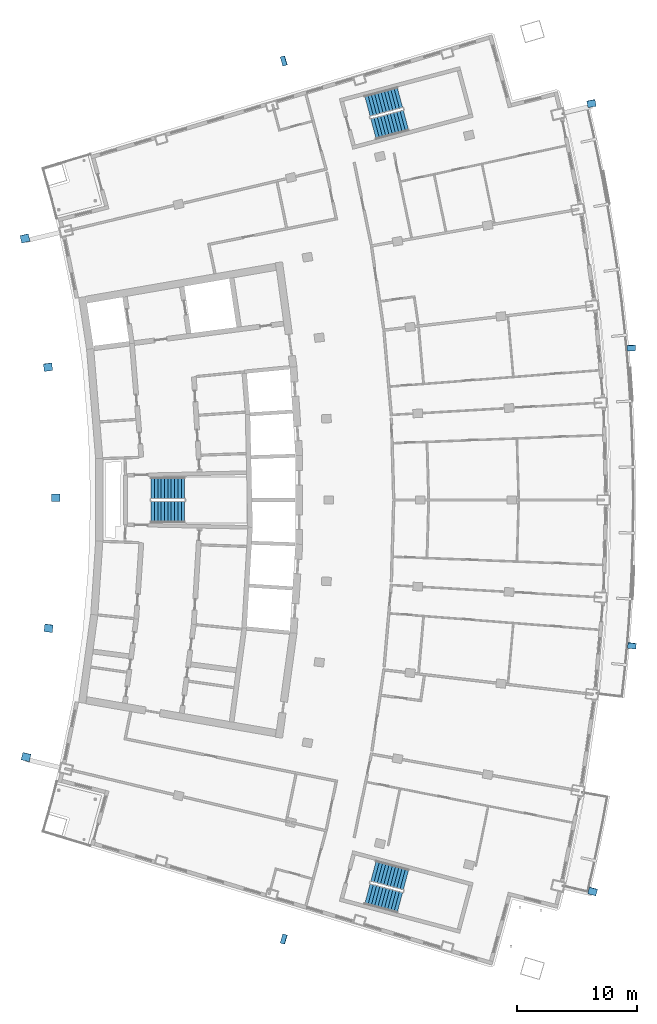
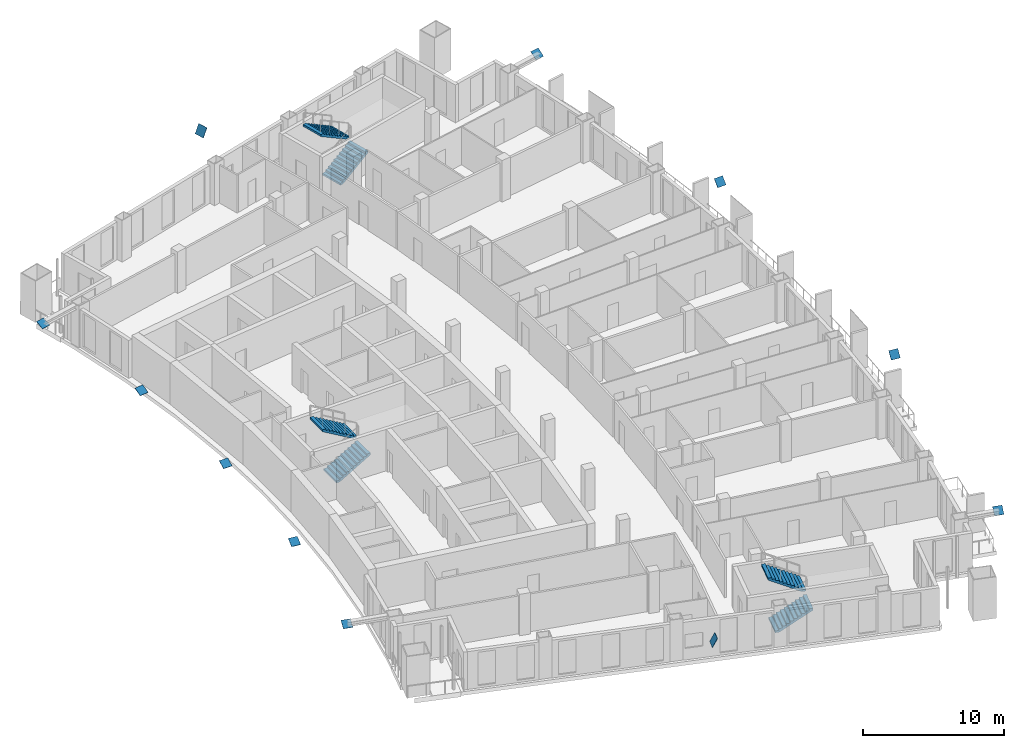
# One storey, part 16 of 19: 11 discrete accessories, 6 stair flights, 3 elements without a shape of their own.
"""IFC4 building model written with IfcOpenShell, lengths in metres."""

from ifc_helpers import new_model, si_unit, direction, frame, origin, origin_2d, place, context, subcontext, project, spatial, polyline, rectangle, outline, extrude, material, layer, layer_set, material_profile, profile_set, type_object, element, aggregate, save


model = new_model("IFC4")

# Units and contexts
model_context = context("Model", 3, precision=1e-05, world=origin(), true_north=direction((0.0, 1.0)))
body_context = subcontext(model_context, "Body", "Model", "MODEL_VIEW")
ifc_project = project(units=[si_unit("LENGTHUNIT", "METRE"), si_unit("AREAUNIT", "SQUARE_METRE"), si_unit("VOLUMEUNIT", "CUBIC_METRE"), si_unit("PLANEANGLEUNIT", "RADIAN"), si_unit("MASSUNIT", "GRAM", prefix="KILO")], contexts=[model_context])

# Site, building, storey
site_placement = place(None, origin())
site = spatial("IfcSite", under=ifc_project, at=site_placement, CompositionType="ELEMENT")
building_placement = place(site_placement, origin())
building = spatial("IfcBuilding", under=site, at=building_placement, Name="Alderwake Tower", CompositionType="ELEMENT")
storey_placement = place(building_placement, frame((0.0, 0.0, 196.39990234375)))
storey = spatial("IfcBuildingStorey", under=building, at=storey_placement, Name="L48", CompositionType="ELEMENT", Elevation=196.39990234375)

# Stair, stair flights
ifc_material_1 = material(Name="Concrete C40/50", Category="concrete")
stair_type = type_object("IfcStairType", Name="Core exit stair", PredefinedType="HALF_TURN_STAIR", material=ifc_material_1)
stair_1_placement = place(storey_placement, origin())
stair_1 = element("IfcStair", 1, at=stair_1_placement, inside=storey, type_object=stair_type, Name="L48 Exit Stair B", PredefinedType="HALF_TURN_STAIR")
ifc_material_2 = material(Name="Concrete C40/50", Category="concrete")
ifc_layer = layer(ifc_material_2, 0.14990234375)
ifc_layer_set = layer_set([ifc_layer], Name="Core stair flight")
stair_flight_type = type_object("IfcStairFlightType", Name="Core stair flight", PredefinedType="STRAIGHT", material=ifc_layer_set)
stair_flight_1_placement = place(storey_placement, frame((21.0400390625, 60.02490234375, 0.0), z_axis=(0.0, 0.0, 1.0), x_axis=(1.0, 0.0, 0.0)))
stair_flight_1 = element("IfcStairFlight", 2, at=stair_flight_1_placement, type_object=stair_flight_type, Name="ST-B flight 1", NumberOfRisers=11, NumberOfTreads=10, PredefinedType="STRAIGHT", RiserHeight=0.163636364, TreadLength=0.28, context=body_context, shape_type="SweptSolid", body=[
    extrude(outline(polyline([(0.0, 0.0), (0.0, 0.16357421875), (0.280029296875, 0.16357421875), (0.280029296875, 0.327392578125), (0.56005859375, 0.327392578125), (0.56005859375, 0.490966796875), (0.840087890625, 0.490966796875), (0.840087890625, 0.654541015625), (1.1201171875, 0.654541015625), (1.1201171875, 0.818115234375), (1.39990234375, 0.818115234375), (1.39990234375, 0.98193359375), (1.679931640625, 0.98193359375), (1.679931640625, 1.1455078125), (1.9599609375, 1.1455078125), (1.9599609375, 1.30908203125), (2.239990234375, 1.30908203125), (2.239990234375, 1.47265625), (2.52001953125, 1.47265625), (2.52001953125, 1.636474609375), (2.800048828125, 1.636474609375), (2.800048828125, 1.800048828125), (2.800048828125, 1.462646484375), (0.297119140625, 0.0), (0.0, 0.0)])), frame((0.0, 0.89990234375, 0.0), z_axis=(0.0, -1.0, 0.0), x_axis=(1.0, 0.0, 0.0)), (0.0, 0.0, 1.0), 1.800048828125),
])
stair_flight_2_placement = place(storey_placement, frame((23.840087890625, 61.97509765625, 1.800048828125), z_axis=(0.0, 0.0, 1.0), x_axis=(-1.0, 0.0, 0.0)))
stair_flight_2 = element("IfcStairFlight", 3, at=stair_flight_2_placement, type_object=stair_flight_type, Name="ST-B flight 2", NumberOfRisers=11, NumberOfTreads=10, PredefinedType="STRAIGHT", RiserHeight=0.163636364, TreadLength=0.28, context=body_context, shape_type="SweptSolid", body=[
    extrude(outline(polyline([(0.0, 0.0), (0.0, 0.16357421875), (0.280029296875, 0.16357421875), (0.280029296875, 0.327392578125), (0.56005859375, 0.327392578125), (0.56005859375, 0.490966796875), (0.840087890625, 0.490966796875), (0.840087890625, 0.654541015625), (1.1201171875, 0.654541015625), (1.1201171875, 0.818115234375), (1.39990234375, 0.818115234375), (1.39990234375, 0.98193359375), (1.679931640625, 0.98193359375), (1.679931640625, 1.1455078125), (1.9599609375, 1.1455078125), (1.9599609375, 1.30908203125), (2.239990234375, 1.30908203125), (2.239990234375, 1.47265625), (2.52001953125, 1.47265625), (2.52001953125, 1.636474609375), (2.800048828125, 1.636474609375), (2.800048828125, 1.800048828125), (2.800048828125, 1.462646484375), (0.297119140625, 0.0), (0.0, 0.0)])), frame((0.0, 0.89990234375, 0.0), z_axis=(0.0, -1.0, 0.0), x_axis=(1.0, 0.0, 0.0)), (0.0, 0.0, 1.0), 1.800048828125),
])
aggregate(stair_1, [stair_flight_1, stair_flight_2])

stair_2_placement = place(storey_placement, origin())
stair_2 = element("IfcStair", 4, at=stair_2_placement, inside=storey, type_object=stair_type, Name="L48 Exit Stair A", PredefinedType="HALF_TURN_STAIR")
stair_flight_3_placement = place(storey_placement, frame((39.512939453125, 91.823974609375, 0.0), z_axis=(0.0, 0.0, 1.0), x_axis=(0.966309627437, 0.257382407951, 0.0)))
stair_flight_3 = element("IfcStairFlight", 5, at=stair_flight_3_placement, type_object=stair_flight_type, Name="ST-A flight 1", NumberOfRisers=11, NumberOfTreads=10, PredefinedType="STRAIGHT", RiserHeight=0.163636364, TreadLength=0.28, context=body_context, shape_type="SweptSolid", body=[
    extrude(outline(polyline([(0.0, 0.0), (0.0, 0.16357421875), (0.280029296875, 0.16357421875), (0.280029296875, 0.327392578125), (0.56005859375, 0.327392578125), (0.56005859375, 0.490966796875), (0.840087890625, 0.490966796875), (0.840087890625, 0.654541015625), (1.1201171875, 0.654541015625), (1.1201171875, 0.818115234375), (1.39990234375, 0.818115234375), (1.39990234375, 0.98193359375), (1.679931640625, 0.98193359375), (1.679931640625, 1.1455078125), (1.9599609375, 1.1455078125), (1.9599609375, 1.30908203125), (2.239990234375, 1.30908203125), (2.239990234375, 1.47265625), (2.52001953125, 1.47265625), (2.52001953125, 1.636474609375), (2.800048828125, 1.636474609375), (2.800048828125, 1.800048828125), (2.800048828125, 1.462646484375), (0.297119140625, 0.0), (0.0, 0.0)])), frame((0.0, 0.89990234375, 0.0), z_axis=(0.0, -1.0, 0.0), x_axis=(1.0, 0.0, 0.0)), (0.0, 0.0, 1.0), 1.800048828125),
])
stair_flight_4_placement = place(storey_placement, frame((41.716796875, 94.428955078125, 1.800048828125), z_axis=(0.0, 0.0, 1.0), x_axis=(-0.966309627437, -0.257382407951, 0.0)))
stair_flight_4 = element("IfcStairFlight", 6, at=stair_flight_4_placement, type_object=stair_flight_type, Name="ST-A flight 2", NumberOfRisers=11, NumberOfTreads=10, PredefinedType="STRAIGHT", RiserHeight=0.163636364, TreadLength=0.28, context=body_context, shape_type="SweptSolid", body=[
    extrude(outline(polyline([(0.0, 0.0), (0.0, 0.16357421875), (0.280029296875, 0.16357421875), (0.280029296875, 0.327392578125), (0.56005859375, 0.327392578125), (0.56005859375, 0.490966796875), (0.840087890625, 0.490966796875), (0.840087890625, 0.654541015625), (1.1201171875, 0.654541015625), (1.1201171875, 0.818115234375), (1.39990234375, 0.818115234375), (1.39990234375, 0.98193359375), (1.679931640625, 0.98193359375), (1.679931640625, 1.1455078125), (1.9599609375, 1.1455078125), (1.9599609375, 1.30908203125), (2.239990234375, 1.30908203125), (2.239990234375, 1.47265625), (2.52001953125, 1.47265625), (2.52001953125, 1.636474609375), (2.800048828125, 1.636474609375), (2.800048828125, 1.800048828125), (2.800048828125, 1.462646484375), (0.297119140625, 0.0), (0.0, 0.0)])), frame((0.0, 0.89990234375, 0.0), z_axis=(0.0, -1.0, 0.0), x_axis=(1.0, 0.0, 0.0)), (0.0, 0.0, 1.0), 1.800048828125),
])
aggregate(stair_2, [stair_flight_3, stair_flight_4])

stair_3_placement = place(storey_placement, origin())
stair_3 = element("IfcStair", 7, at=stair_3_placement, inside=storey, type_object=stair_type, Name="L48 Exit Stair C", PredefinedType="HALF_TURN_STAIR")
stair_flight_5_placement = place(storey_placement, frame((39.010986328125, 28.291748046875, 0.0), z_axis=(0.0, 0.0, 1.0), x_axis=(0.966309627437, -0.257382407951, 0.0)))
stair_flight_5 = element("IfcStairFlight", 8, at=stair_flight_5_placement, type_object=stair_flight_type, Name="ST-C flight 1", NumberOfRisers=11, NumberOfTreads=10, PredefinedType="STRAIGHT", RiserHeight=0.163636364, TreadLength=0.28, context=body_context, shape_type="SweptSolid", body=[
    extrude(outline(polyline([(0.0, 0.0), (0.0, 0.16357421875), (0.280029296875, 0.16357421875), (0.280029296875, 0.327392578125), (0.56005859375, 0.327392578125), (0.56005859375, 0.490966796875), (0.840087890625, 0.490966796875), (0.840087890625, 0.654541015625), (1.1201171875, 0.654541015625), (1.1201171875, 0.818115234375), (1.39990234375, 0.818115234375), (1.39990234375, 0.98193359375), (1.679931640625, 0.98193359375), (1.679931640625, 1.1455078125), (1.9599609375, 1.1455078125), (1.9599609375, 1.30908203125), (2.239990234375, 1.30908203125), (2.239990234375, 1.47265625), (2.52001953125, 1.47265625), (2.52001953125, 1.636474609375), (2.800048828125, 1.636474609375), (2.800048828125, 1.800048828125), (2.800048828125, 1.462646484375), (0.297119140625, 0.0), (0.0, 0.0)])), frame((0.0, 0.89990234375, 0.0), z_axis=(0.0, -1.0, 0.0), x_axis=(1.0, 0.0, 0.0)), (0.0, 0.0, 1.0), 1.800048828125),
])
stair_flight_6_placement = place(storey_placement, frame((42.218505859375, 29.455322265625, 1.800048828125), z_axis=(0.0, 0.0, 1.0), x_axis=(-0.966309627437, 0.257382407951, 0.0)))
stair_flight_6 = element("IfcStairFlight", 9, at=stair_flight_6_placement, type_object=stair_flight_type, Name="ST-C flight 2", NumberOfRisers=11, NumberOfTreads=10, PredefinedType="STRAIGHT", RiserHeight=0.163636364, TreadLength=0.28, context=body_context, shape_type="SweptSolid", body=[
    extrude(outline(polyline([(0.0, 0.0), (0.0, 0.16357421875), (0.280029296875, 0.16357421875), (0.280029296875, 0.327392578125), (0.56005859375, 0.327392578125), (0.56005859375, 0.490966796875), (0.840087890625, 0.490966796875), (0.840087890625, 0.654541015625), (1.1201171875, 0.654541015625), (1.1201171875, 0.818115234375), (1.39990234375, 0.818115234375), (1.39990234375, 0.98193359375), (1.679931640625, 0.98193359375), (1.679931640625, 1.1455078125), (1.9599609375, 1.1455078125), (1.9599609375, 1.30908203125), (2.239990234375, 1.30908203125), (2.239990234375, 1.47265625), (2.52001953125, 1.47265625), (2.52001953125, 1.636474609375), (2.800048828125, 1.636474609375), (2.800048828125, 1.800048828125), (2.800048828125, 1.462646484375), (0.297119140625, 0.0), (0.0, 0.0)])), frame((0.0, 0.89990234375, 0.0), z_axis=(0.0, -1.0, 0.0), x_axis=(1.0, 0.0, 0.0)), (0.0, 0.0, 1.0), 1.800048828125),
])
aggregate(stair_3, [stair_flight_5, stair_flight_6])

# Discrete accessories
ifc_material_3 = material(Name="Steel ASTM A572 Grade 50", Category="steel")
ifc_material_profile_1 = material_profile(ifc_material_3, rectangle(XDim=0.699951171875, YDim=0.699951171875, at=origin_2d()), Name="BOX 700X700X45 cap")
ifc_profile_set_1 = profile_set([ifc_material_profile_1], Name="Steel ASTM A572 Grade 50")
discrete_accessory_type_1 = type_object("IfcDiscreteAccessoryType", Name="End cap plate BOX 700X700X45", PredefinedType="USERDEFINED", material=ifc_profile_set_1)
for number, where, z_axis, x_axis, name in (
    (10, (57.720947265625, 28.495849609375, 3.342041015625), (-0.162285493843, -0.584227777833, 0.795198919828), (0.96351790963, -0.267643863786, 0.0), "End cap BRF4.1.2B1 X"),
    (11, (60.977783203125, 48.90283203125, 3.396728515625), (-0.089380691217, -0.747547599273, 0.658166908055), (0.992927816807, -0.11871963027, 0.0), "End cap BRF4.1.4B1 X"),
    (12, (60.9306640625, 73.6328125, 3.396728515625), (0.040756957297, -0.749928014264, 0.660262708211), (0.998526420466, 0.054267740243, 0.0), "End cap BRF4.1.7B1 X"),
):
    element("IfcDiscreteAccessory", number, at=place(storey_placement, frame(where, z_axis=z_axis, x_axis=x_axis)), inside=storey, type_object=discrete_accessory_type_1, Name=name, ObjectType="END CAP", PredefinedType="USERDEFINED", context=body_context, shape_type="SweptSolid", body=[
        extrude(rectangle(XDim=0.699951171875, YDim=0.699951171875, at=origin_2d()), origin(), (0.0, 0.0, 1.0), 0.030029296875),
    ])
discrete_accessory_placement = place(storey_placement, frame((57.618896484375, 93.933837890625, 3.342041015625), z_axis=(0.113272167466, -0.59872431375, 0.792905172263), x_axis=(0.982570245697, 0.185891668105, 0.0)))
element("IfcDiscreteAccessory", 13, at=discrete_accessory_placement, inside=storey, type_object=discrete_accessory_type_1, Name="End cap BRF4.1.10B1 X", ObjectType="END CAP", PredefinedType="USERDEFINED", context=body_context, shape_type="SweptSolid", body=[
    extrude(rectangle(XDim=0.699951171875, YDim=0.699951171875, at=origin_2d()), origin(), (0.0, 0.0, 1.0), 0.0302734375),
])
for number, where, z_axis, x_axis, name in (
    (14, (10.6630859375, 39.65625, 3.20703125), (-0.105495990526, -0.438214114494, 0.892658381376), (0.972223637158, -0.234053838575, 0.0), "End cap BRR4.1.2B1 X"),
    (15, (12.53125, 50.354736328125, 3.20703125), (-0.056826119483, -0.446490938798, 0.892981877596), (0.991997911724, -0.126254279674, 0.0), "End cap BRR4.1.4B1 X"),
    (16, (13.141357421875, 61.197998046875, 3.20703125), (0.0, -0.45368304067, 0.891163115601), (1.0, 0.0, 0.0), "End cap BRR4.1.6B1 X"),
    (17, (12.485107421875, 72.038330078125, 3.20703125), (0.056826119483, -0.446490938798, 0.892981877596), (0.991997911724, 0.126254279674, 0.0), "End cap BRR4.1.8B1 X"),
    (18, (10.571533203125, 82.72900390625, 3.20703125), (0.105495990526, -0.438214114494, 0.892658381376), (0.972223637158, 0.234053838575, 0.0), "End cap BRR4.1.10B1 X"),
):
    element("IfcDiscreteAccessory", number, at=place(storey_placement, frame(where, z_axis=z_axis, x_axis=x_axis)), inside=storey, type_object=discrete_accessory_type_1, Name=name, ObjectType="END CAP", PredefinedType="USERDEFINED", context=body_context, shape_type="SweptSolid", body=[
        extrude(rectangle(XDim=0.699951171875, YDim=0.699951171875, at=origin_2d()), origin(), (0.0, 0.0, 1.0), 0.030029296875),
    ])
ifc_material_4 = material(Name="Steel ASTM A572 Grade 50", Category="steel")
ifc_material_profile_2 = material_profile(ifc_material_4, rectangle(XDim=0.800048828125, YDim=0.800048828125, at=origin_2d()), Name="BOX 800X800X50 cap")
ifc_profile_set_2 = profile_set([ifc_material_profile_2], Name="Steel ASTM A572 Grade 50")
discrete_accessory_type_2 = type_object("IfcDiscreteAccessoryType", Name="End cap plate BOX 800X800X50", PredefinedType="USERDEFINED", material=ifc_profile_set_2)
for number, where, z_axis, x_axis, name in (
    (19, (32.07763671875, 24.531982421875, 3.479736328125), (-0.848421463916, 0.252894859437, 0.465000225416), (-0.285656661543, -0.958332025822, 0.0), "End cap BRS4.1.0B1 X"),
    (20, (32.07763671875, 97.468017578125, 3.479736328125), (-0.848421463916, -0.252894859437, 0.465000225416), (0.285656661543, -0.958332025822, 0.0), "End cap BRN4.1.0B1 X"),
):
    element("IfcDiscreteAccessory", number, at=place(storey_placement, frame(where, z_axis=z_axis, x_axis=x_axis)), inside=storey, type_object=discrete_accessory_type_2, Name=name, ObjectType="END CAP", PredefinedType="USERDEFINED", context=body_context, shape_type="SweptSolid", body=[
        extrude(rectangle(XDim=0.800048828125, YDim=0.800048828125, at=origin_2d()), origin(), (0.0, 0.0, 1.0), 0.030029296875),
    ])

save(model, "model.ifc")
